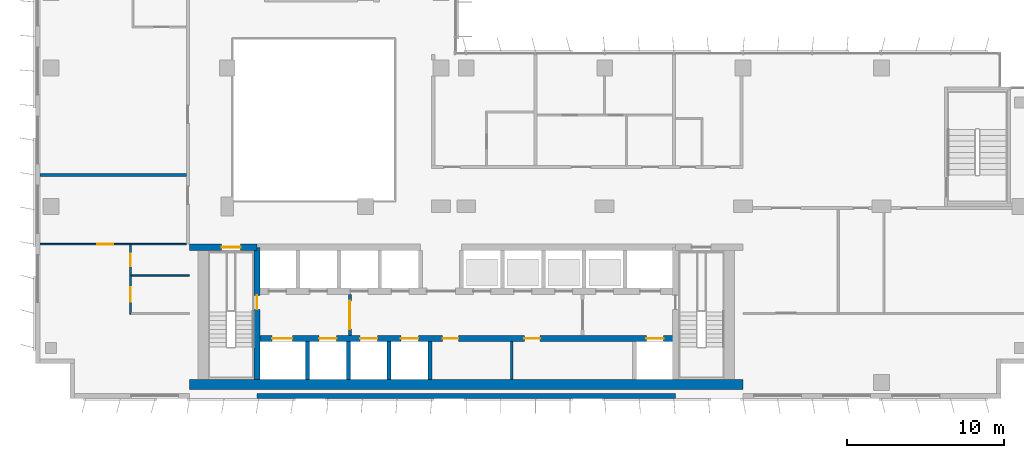
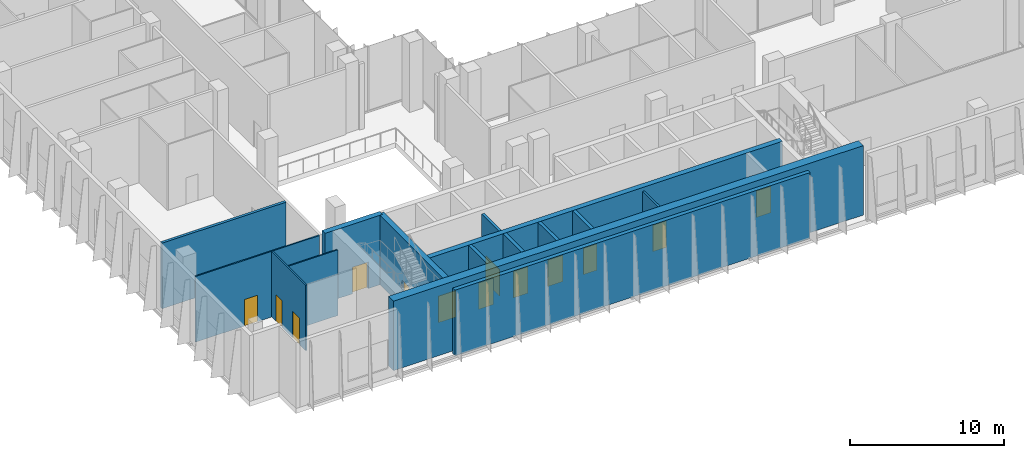
# One storey, part 13 of 24: 15 walls, 13 doors, 13 openings.
"""IFC4 building model written with IfcOpenShell, lengths in metres."""

from ifc_helpers import new_model, si_unit, direction, frame, frame_2d, origin, place, context, subcontext, project, spatial, rectangle, extrude, material, layer, layer_set, type_object, element, fill, save


model = new_model("IFC4")

# Units and contexts
model_context = context("Model", 3, precision=1e-05, world=origin(), true_north=direction((0.0, 1.0)))
body_context = subcontext(model_context, "Body", "Model", "MODEL_VIEW")
ifc_project = project(units=[si_unit("LENGTHUNIT", "METRE"), si_unit("AREAUNIT", "SQUARE_METRE"), si_unit("VOLUMEUNIT", "CUBIC_METRE"), si_unit("PLANEANGLEUNIT", "RADIAN"), si_unit("MASSUNIT", "GRAM", prefix="KILO")], contexts=[model_context])

# Site, building, storey
site_placement = place(None, origin())
site = spatial("IfcSite", under=ifc_project, at=site_placement, CompositionType="ELEMENT")
building_placement = place(site_placement, origin())
building = spatial("IfcBuilding", under=site, at=building_placement, Name="Kemantara Hotel Tower", CompositionType="ELEMENT")
storey_placement = place(building_placement, frame((0.0, 0.0, 202.5)))
storey = spatial("IfcBuildingStorey", under=building, at=storey_placement, Name="L50", CompositionType="ELEMENT", Elevation=202.5)

# Walls
ifc_material_1 = material(Name="Bronze anodised aluminium cladding on insulated steel stud wall", Category="steel")
ifc_layer_1 = layer(ifc_material_1, 0.300048828125)
ifc_layer_set_1 = layer_set([ifc_layer_1], Name="Bronze anodised aluminium cladding on insulated steel stud wall")
wall_type_1 = type_object("IfcWallType", Name="BRONZE METAL-CLAD EXTERNAL WALL 300", PredefinedType="STANDARD", material=ifc_layer_set_1)
wall_1_placement = place(storey_placement, frame((14.10009765625, 0.14990234375, 0.0), z_axis=(0.0, 0.0, 1.0), x_axis=(1.0, 0.0, 0.0)))
element("IfcWall", 1, at=wall_1_placement, inside=storey, type_object=wall_type_1, Name="EXTERNAL WALL L50 T3S-R09-2", PredefinedType="STANDARD", context=body_context, shape_type="SweptSolid", body=[
    extrude(rectangle(XDim=26.599853515625, YDim=0.300048828125, at=frame_2d((13.2998046875, 0.0))), origin(), (0.0, 0.0, 1.0), 5.199951171875),
])
ifc_material_2 = material(Name="Concrete fc 60 MPa", Category="concrete")
ifc_layer_2 = layer(ifc_material_2, 0.25)
ifc_layer_set_2 = layer_set([ifc_layer_2], Name="Concrete fc 60 MPa")
wall_type_2 = type_object("IfcWallType", Name="CORE WALL 250 FC60", PredefinedType="SHEAR", material=ifc_layer_set_2)
for number, where, z_axis, x_axis, name in (
    (2, (17.300048828125, 1.199951171875, 0.0), (0.0, 0.0, 1.0), (0.0, 1.0, 0.0), "CORE WALL CW-DS17.3"),
    (3, (19.89990234375, 1.199951171875, 0.0), (0.0, 0.0, 1.0), (0.0, 1.0, 0.0), "CORE WALL CW-DS19.9"),
    (4, (22.5, 1.199951171875, 0.0), (0.0, 0.0, 1.0), (0.0, 1.0, 0.0), "CORE WALL CW-DS22.5"),
    (5, (25.10009765625, 1.199951171875, 0.0), (0.0, 0.0, 1.0), (0.0, 1.0, 0.0), "CORE WALL CW-DS25.1"),
):
    element("IfcWall", number, at=place(storey_placement, frame(where, z_axis=z_axis, x_axis=x_axis)), inside=storey, type_object=wall_type_2, Name=name, PredefinedType="SHEAR", context=body_context, shape_type="SweptSolid", body=[
        extrude(rectangle(XDim=2.400146484375, YDim=0.25, at=frame_2d((1.2001953125, 0.0))), origin(), (0.0, 0.0, 1.0), 5.5),
    ])

# Wall, opening, door
ifc_layer_3 = layer(ifc_material_2, 0.39990234375)
ifc_layer_set_3 = layer_set([ifc_layer_3], Name="Concrete fc 60 MPa")
wall_type_3 = type_object("IfcWallType", Name="CORE WALL 400 FC60", PredefinedType="SHEAR", material=ifc_layer_set_3)
wall_2_placement = place(storey_placement, frame((9.800048828125, 9.60009765625, 0.0), z_axis=(0.0, 0.0, 1.0), x_axis=(1.0, 0.0, 0.0)))
wall_2 = element("IfcWall", 6, at=wall_2_placement, inside=storey, type_object=wall_type_3, Name="CORE WALL CW-N1", PredefinedType="SHEAR", context=body_context, shape_type="SweptSolid", body=[
    extrude(rectangle(XDim=4.300048828125, YDim=0.39990234375, at=frame_2d((2.14990234375, 0.0))), origin(), (0.0, 0.0, 1.0), 5.5),
])
opening_1_placement = place(wall_2_placement, frame((2.050048828125, 0.0, 0.0)))
opening_1 = element("IfcOpeningElement", 7, at=opening_1_placement, cuts=wall_2, Name="Opening C31-ST1-C", PredefinedType="OPENING", context=body_context, shape_type="SweptSolid", body=[
    extrude(rectangle(XDim=1.199951171875, YDim=2.10009765625, at=frame_2d((0.60009765625, 1.050048828125))), frame((0.0, 0.2099609375, 0.0), z_axis=(0.0, -1.0, 0.0), x_axis=(1.0, 0.0, 0.0)), (0.0, 0.0, 1.0), 0.419921875),
])
ifc_material_3 = material(Name="Steel fire door", Category="steel")
door_type_1 = type_object("IfcDoorType", Name="Fire door FD90 1200 x 2100", OperationType="NOTDEFINED", PredefinedType="DOOR", material=ifc_material_3)
door_1_placement = place(opening_1_placement, frame((1.199951171875, 0.0, 0.0), z_axis=(0.0, 0.0, 1.0), x_axis=(-1.0, 0.0, 0.0)))
door_1 = element("IfcDoor", 8, at=door_1_placement, inside=storey, type_object=door_type_1, Name="Stair ST1 door to corridor", OperationType="SINGLE_SWING_LEFT", OverallHeight=2.10009765625, OverallWidth=1.199951171875, PredefinedType="DOOR", context=body_context, shape_type="SweptSolid", body=[
    extrude(rectangle(XDim=1.199951171875, YDim=2.10009765625, at=frame_2d((0.60009765625, 1.050048828125))), frame((0.0, 0.02490234375, 0.0), z_axis=(0.0, -1.0, 0.0), x_axis=(1.0, 0.0, 0.0)), (0.0, 0.0, 1.0), 0.050048828125),
])
fill(opening_1, door_1)

# Wall, openings, doors
wall_3_placement = place(storey_placement, frame((14.10009765625, 3.800048828125, 0.0), z_axis=(0.0, 0.0, 1.0), x_axis=(1.0, 0.0, 0.0)))
wall_3 = element("IfcWall", 9, at=wall_3_placement, inside=storey, type_object=wall_type_3, Name="CORE WALL CW-L1", PredefinedType="SHEAR", context=body_context, shape_type="SweptSolid", body=[
    extrude(rectangle(XDim=26.599853515625, YDim=0.39990234375, at=frame_2d((13.2998046875, 0.0))), origin(), (0.0, 0.0, 1.0), 5.5),
])
opening_2_placement = place(wall_3_placement, frame((0.949951171875, 0.0, 0.0)))
opening_2 = element("IfcOpeningElement", 10, at=opening_2_placement, cuts=wall_3, Name="Opening C31-LD-FF1", PredefinedType="OPENING", context=body_context, shape_type="SweptSolid", body=[
    extrude(rectangle(XDim=1.300048828125, YDim=2.10009765625, at=frame_2d((0.64990234375, 1.050048828125))), frame((0.0, 0.2099609375, 0.0), z_axis=(0.0, -1.0, 0.0), x_axis=(1.0, 0.0, 0.0)), (0.0, 0.0, 1.0), 0.419921875),
])
opening_3_placement = place(wall_3_placement, frame((3.949951171875, 0.0, 0.0)))
opening_3 = element("IfcOpeningElement", 11, at=opening_3_placement, cuts=wall_3, Name="Opening C31-LD-SV1", PredefinedType="OPENING", context=body_context, shape_type="SweptSolid", body=[
    extrude(rectangle(XDim=1.10009765625, YDim=2.10009765625, at=frame_2d((0.550048828125, 1.050048828125))), frame((0.0, 0.2099609375, 0.0), z_axis=(0.0, -1.0, 0.0), x_axis=(1.0, 0.0, 0.0)), (0.0, 0.0, 1.0), 0.419921875),
])
opening_4_placement = place(wall_3_placement, frame((6.550048828125, 0.0, 0.0)))
opening_4 = element("IfcOpeningElement", 12, at=opening_4_placement, cuts=wall_3, Name="Opening C31-LD-SV2", PredefinedType="OPENING", context=body_context, shape_type="SweptSolid", body=[
    extrude(rectangle(XDim=1.10009765625, YDim=2.10009765625, at=frame_2d((0.550048828125, 1.050048828125))), frame((0.0, 0.2099609375, 0.0), z_axis=(0.0, -1.0, 0.0), x_axis=(1.0, 0.0, 0.0)), (0.0, 0.0, 1.0), 0.419921875),
])
opening_5_placement = place(wall_3_placement, frame((9.14990234375, 0.0, 0.0)))
opening_5 = element("IfcOpeningElement", 13, at=opening_5_placement, cuts=wall_3, Name="Opening C31-LD-SV3", PredefinedType="OPENING", context=body_context, shape_type="SweptSolid", body=[
    extrude(rectangle(XDim=1.10009765625, YDim=2.10009765625, at=frame_2d((0.550048828125, 1.050048828125))), frame((0.0, 0.2099609375, 0.0), z_axis=(0.0, -1.0, 0.0), x_axis=(1.0, 0.0, 0.0)), (0.0, 0.0, 1.0), 0.419921875),
])
opening_6_placement = place(wall_3_placement, frame((24.75, 0.0, 0.0)))
opening_6 = element("IfcOpeningElement", 14, at=opening_6_placement, cuts=wall_3, Name="Opening C31-LD-SH2", PredefinedType="OPENING", context=body_context, shape_type="SweptSolid", body=[
    extrude(rectangle(XDim=1.10009765625, YDim=2.10009765625, at=frame_2d((0.550048828125, 1.050048828125))), frame((0.0, 0.2099609375, 0.0), z_axis=(0.0, -1.0, 0.0), x_axis=(1.0, 0.0, 0.0)), (0.0, 0.0, 1.0), 0.419921875),
])
opening_7_placement = place(wall_3_placement, frame((11.800048828125, 0.0, 0.0)))
opening_7 = element("IfcOpeningElement", 15, at=opening_7_placement, cuts=wall_3, Name="Opening C31-R-SM1", PredefinedType="OPENING", context=body_context, shape_type="SweptSolid", body=[
    extrude(rectangle(XDim=1.0, YDim=2.10009765625, at=frame_2d((0.5, 1.050048828125))), frame((0.0, 0.2099609375, 0.0), z_axis=(0.0, -1.0, 0.0), x_axis=(1.0, 0.0, 0.0)), (0.0, 0.0, 1.0), 0.419921875),
])
opening_8_placement = place(wall_3_placement, frame((17.0, 0.0, 0.0)))
opening_8 = element("IfcOpeningElement", 16, at=opening_8_placement, cuts=wall_3, Name="Opening C31-R-SM2", PredefinedType="OPENING", context=body_context, shape_type="SweptSolid", body=[
    extrude(rectangle(XDim=1.0, YDim=2.10009765625, at=frame_2d((0.5, 1.050048828125))), frame((0.0, 0.2099609375, 0.0), z_axis=(0.0, -1.0, 0.0), x_axis=(1.0, 0.0, 0.0)), (0.0, 0.0, 1.0), 0.419921875),
])
door_type_2 = type_object("IfcDoorType", Name="Fire door FD30S 1000 x 2100", OperationType="NOTDEFINED", PredefinedType="DOOR", material=ifc_material_3)
door_2_placement = place(opening_7_placement, frame((1.0, 0.0, 0.0), z_axis=(0.0, 0.0, 1.0), x_axis=(-1.0, 0.0, 0.0)))
door_2 = element("IfcDoor", 17, at=door_2_placement, inside=storey, type_object=door_type_2, Name="Housekeeping Store door", OperationType="SINGLE_SWING_RIGHT", OverallHeight=2.10009765625, OverallWidth=1.0, PredefinedType="DOOR", context=body_context, shape_type="SweptSolid", body=[
    extrude(rectangle(XDim=1.0, YDim=2.10009765625, at=frame_2d((0.5, 1.050048828125))), frame((0.0, 0.02490234375, 0.0), z_axis=(0.0, -1.0, 0.0), x_axis=(1.0, 0.0, 0.0)), (0.0, 0.0, 1.0), 0.050048828125),
])
fill(opening_7, door_2)
door_3_placement = place(opening_8_placement, frame((1.0, 0.0, 0.0), z_axis=(0.0, 0.0, 1.0), x_axis=(-1.0, 0.0, 0.0)))
door_3 = element("IfcDoor", 18, at=door_3_placement, inside=storey, type_object=door_type_2, Name="Linen Store door", OperationType="SINGLE_SWING_LEFT", OverallHeight=2.10009765625, OverallWidth=1.0, PredefinedType="DOOR", context=body_context, shape_type="SweptSolid", body=[
    extrude(rectangle(XDim=1.0, YDim=2.10009765625, at=frame_2d((0.5, 1.050048828125))), frame((0.0, 0.02490234375, 0.0), z_axis=(0.0, -1.0, 0.0), x_axis=(1.0, 0.0, 0.0)), (0.0, 0.0, 1.0), 0.050048828125),
])
fill(opening_8, door_3)
ifc_material_4 = material(Name="Stainless steel lift door", Category="steel")
door_type_3 = type_object("IfcDoorType", Name="Lift landing door 1100 x 2100 FD60", OperationType="DOUBLE_DOOR_SLIDING", PredefinedType="DOOR", material=ifc_material_4)
door_4_placement = place(opening_3_placement, origin())
door_4 = element("IfcDoor", 19, at=door_4_placement, inside=storey, type_object=door_type_3, Name="Lift SV1 landing door", OperationType="DOUBLE_DOOR_SLIDING", OverallHeight=2.10009765625, OverallWidth=1.10009765625, PredefinedType="DOOR", context=body_context, shape_type="SweptSolid", body=[
    extrude(rectangle(XDim=1.10009765625, YDim=2.10009765625, at=frame_2d((0.550048828125, 1.050048828125))), frame((0.0, 0.02490234375, 0.0), z_axis=(0.0, -1.0, 0.0), x_axis=(1.0, 0.0, 0.0)), (0.0, 0.0, 1.0), 0.050048828125),
])
fill(opening_3, door_4)
door_5_placement = place(opening_4_placement, origin())
door_5 = element("IfcDoor", 20, at=door_5_placement, inside=storey, type_object=door_type_3, Name="Lift SV2 landing door", OperationType="DOUBLE_DOOR_SLIDING", OverallHeight=2.10009765625, OverallWidth=1.10009765625, PredefinedType="DOOR", context=body_context, shape_type="SweptSolid", body=[
    extrude(rectangle(XDim=1.10009765625, YDim=2.10009765625, at=frame_2d((0.550048828125, 1.050048828125))), frame((0.0, 0.02490234375, 0.0), z_axis=(0.0, -1.0, 0.0), x_axis=(1.0, 0.0, 0.0)), (0.0, 0.0, 1.0), 0.050048828125),
])
fill(opening_4, door_5)
door_6_placement = place(opening_5_placement, origin())
door_6 = element("IfcDoor", 21, at=door_6_placement, inside=storey, type_object=door_type_3, Name="Lift SV3 landing door", OperationType="DOUBLE_DOOR_SLIDING", OverallHeight=2.10009765625, OverallWidth=1.10009765625, PredefinedType="DOOR", context=body_context, shape_type="SweptSolid", body=[
    extrude(rectangle(XDim=1.10009765625, YDim=2.10009765625, at=frame_2d((0.550048828125, 1.050048828125))), frame((0.0, 0.02490234375, 0.0), z_axis=(0.0, -1.0, 0.0), x_axis=(1.0, 0.0, 0.0)), (0.0, 0.0, 1.0), 0.050048828125),
])
fill(opening_5, door_6)
door_7_placement = place(opening_6_placement, origin())
door_7 = element("IfcDoor", 22, at=door_7_placement, inside=storey, type_object=door_type_3, Name="Lift SH2 landing door", OperationType="DOUBLE_DOOR_SLIDING", OverallHeight=2.10009765625, OverallWidth=1.10009765625, PredefinedType="DOOR", context=body_context, shape_type="SweptSolid", body=[
    extrude(rectangle(XDim=1.10009765625, YDim=2.10009765625, at=frame_2d((0.550048828125, 1.050048828125))), frame((0.0, 0.02490234375, 0.0), z_axis=(0.0, -1.0, 0.0), x_axis=(1.0, 0.0, 0.0)), (0.0, 0.0, 1.0), 0.050048828125),
])
fill(opening_6, door_7)
door_type_4 = type_object("IfcDoorType", Name="Lift landing door 1300 x 2100 FD90", OperationType="DOUBLE_DOOR_SLIDING", PredefinedType="DOOR", material=ifc_material_4)
door_8_placement = place(opening_2_placement, origin())
door_8 = element("IfcDoor", 23, at=door_8_placement, inside=storey, type_object=door_type_4, Name="Lift FF1 landing door", OperationType="DOUBLE_DOOR_SLIDING", OverallHeight=2.10009765625, OverallWidth=1.300048828125, PredefinedType="DOOR", context=body_context, shape_type="SweptSolid", body=[
    extrude(rectangle(XDim=1.300048828125, YDim=2.10009765625, at=frame_2d((0.64990234375, 1.050048828125))), frame((0.0, 0.02490234375, 0.0), z_axis=(0.0, -1.0, 0.0), x_axis=(1.0, 0.0, 0.0)), (0.0, 0.0, 1.0), 0.050048828125),
])
fill(opening_2, door_8)

# Wall, opening, door
wall_4_placement = place(storey_placement, frame((14.10009765625, 1.199951171875, 0.0), z_axis=(0.0, 0.0, 1.0), x_axis=(0.0, 1.0, 0.0)))
wall_4 = element("IfcWall", 24, at=wall_4_placement, inside=storey, type_object=wall_type_3, Name="CORE WALL CW-ST1E", PredefinedType="SHEAR", context=body_context, shape_type="SweptSolid", body=[
    extrude(rectangle(XDim=8.400146484375, YDim=0.39990234375, at=frame_2d((4.2001953125, 0.0))), origin(), (0.0, 0.0, 1.0), 5.5),
])
opening_9_placement = place(wall_4_placement, frame((4.449951171875, 0.0, 0.0)))
opening_9 = element("IfcOpeningElement", 25, at=opening_9_placement, cuts=wall_4, Name="Opening C31-ST1-F", PredefinedType="OPENING", context=body_context, shape_type="SweptSolid", body=[
    extrude(rectangle(XDim=0.89990234375, YDim=2.10009765625, at=frame_2d((0.449951171875, 1.050048828125))), frame((0.0, 0.2099609375, 0.0), z_axis=(0.0, -1.0, 0.0), x_axis=(1.0, 0.0, 0.0)), (0.0, 0.0, 1.0), 0.419921875),
])
door_type_5 = type_object("IfcDoorType", Name="Fire door FD90 900 x 2100", OperationType="NOTDEFINED", PredefinedType="DOOR", material=ifc_material_3)
door_9_placement = place(opening_9_placement, origin())
door_9 = element("IfcDoor", 26, at=door_9_placement, inside=storey, type_object=door_type_5, Name="Stair ST1 door to firefighting lobby", OperationType="SINGLE_SWING_RIGHT", OverallHeight=2.10009765625, OverallWidth=0.89990234375, PredefinedType="DOOR", context=body_context, shape_type="SweptSolid", body=[
    extrude(rectangle(XDim=0.89990234375, YDim=2.10009765625, at=frame_2d((0.449951171875, 1.050048828125))), frame((0.0, 0.02490234375, 0.0), z_axis=(0.0, -1.0, 0.0), x_axis=(1.0, 0.0, 0.0)), (0.0, 0.0, 1.0), 0.050048828125),
])
fill(opening_9, door_9)

# Walls
ifc_layer_4 = layer(ifc_material_2, 0.64990234375)
ifc_layer_set_4 = layer_set([ifc_layer_4], Name="Concrete fc 60 MPa")
wall_type_4 = type_object("IfcWallType", Name="CORE WALL 650 FC60", PredefinedType="SHEAR", material=ifc_layer_set_4)
wall_5_placement = place(storey_placement, frame((9.800048828125, 0.875, 0.0), z_axis=(0.0, 0.0, 1.0), x_axis=(1.0, 0.0, 0.0)))
element("IfcWall", 27, at=wall_5_placement, inside=storey, type_object=wall_type_4, Name="CORE WALL CW-S", PredefinedType="SHEAR", context=body_context, shape_type="SweptSolid", body=[
    extrude(rectangle(XDim=35.199951171875, YDim=0.64990234375, at=frame_2d((17.60009765625, 0.0))), origin(), (0.0, 0.0, 1.0), 5.5),
])
ifc_material_5 = material(Name="Gypsum board partition, steel studs and mineral wool, 200 mm", Category="steel")
ifc_layer_5 = layer(ifc_material_5, 0.199951171875)
ifc_layer_set_5 = layer_set([ifc_layer_5], Name="Gypsum board partition, steel studs and mineral wool, 200 mm")
wall_type_5 = type_object("IfcWallType", Name="GUEST ROOM PARTY WALL 200", PredefinedType="PARTITIONING", material=ifc_layer_set_5)
wall_6_placement = place(storey_placement, frame((0.31005859375, 14.199951171875, 0.0), z_axis=(0.0, 0.0, 1.0), x_axis=(1.0, 0.0, 0.0)))
element("IfcWall", 28, at=wall_6_placement, inside=storey, type_object=wall_type_5, Name="GUEST ROOM PARTY WALL 200 012", PredefinedType="PARTITIONING", context=body_context, shape_type="SweptSolid", body=[
    extrude(rectangle(XDim=9.2900390625, YDim=0.199951171875, at=frame_2d((4.64501953125, 0.0))), origin(), (0.0, 0.0, 1.0), 5.199951171875),
])
ifc_material_6 = material(Name="Gypsum board partition")
ifc_layer_6 = layer(ifc_material_6, 0.14990234375)
ifc_layer_set_6 = layer_set([ifc_layer_6], Name="Gypsum board partition")
wall_type_6 = type_object("IfcWallType", Name="Gypsum board partition 150 mm", PredefinedType="PARTITIONING", material=ifc_layer_set_6)
wall_7_placement = place(storey_placement, frame((30.300048828125, 1.199951171875, 0.0), z_axis=(0.0, 0.0, 1.0), x_axis=(0.0, 1.0, 0.0)))
element("IfcWall", 29, at=wall_7_placement, inside=storey, type_object=wall_type_6, Name="Core room partition", PredefinedType="PARTITIONING", context=body_context, shape_type="SweptSolid", body=[
    extrude(rectangle(XDim=2.400146484375, YDim=0.14990234375, at=frame_2d((1.2001953125, 0.0))), origin(), (0.0, 0.0, 1.0), 5.199951171875),
])

# Wall, opening, door
ifc_material_7 = material(Name="Gypsum board shaft wall")
ifc_layer_7 = layer(ifc_material_7, 0.199951171875)
ifc_layer_set_7 = layer_set([ifc_layer_7], Name="Gypsum board shaft wall")
wall_type_7 = type_object("IfcWallType", Name="Gypsum board shaft wall 200 mm", PredefinedType="PARTITIONING", material=ifc_layer_set_7)
wall_8_placement = place(storey_placement, frame((20.0, 4.0, 0.0), z_axis=(0.0, 0.0, 1.0), x_axis=(0.0, 1.0, 0.0)))
wall_8 = element("IfcWall", 30, at=wall_8_placement, inside=storey, type_object=wall_type_7, Name="Firefighting lobby partition west", PredefinedType="PARTITIONING", context=body_context, shape_type="SweptSolid", body=[
    extrude(rectangle(XDim=2.60009765625, YDim=0.199951171875, at=frame_2d((1.300048828125, 0.0))), origin(), (0.0, 0.0, 1.0), 5.199951171875),
])
opening_10_placement = place(wall_8_placement, frame((0.39990234375, 0.0, 0.0)))
opening_10 = element("IfcOpeningElement", 31, at=opening_10_placement, cuts=wall_8, Name="Opening C31-FFW", PredefinedType="OPENING", context=body_context, shape_type="SweptSolid", body=[
    extrude(rectangle(XDim=1.800048828125, YDim=2.10009765625, at=frame_2d((0.89990234375, 1.050048828125))), frame((0.0, 0.10986328125, 0.0), z_axis=(0.0, -1.0, 0.0), x_axis=(1.0, 0.0, 0.0)), (0.0, 0.0, 1.0), 0.219970703125),
])
door_type_6 = type_object("IfcDoorType", Name="Fire door pair FD60 1800 x 2100", OperationType="DOUBLE_DOOR_SINGLE_SWING", PredefinedType="DOOR", material=ifc_material_3)
door_10_placement = place(opening_10_placement, origin())
door_10 = element("IfcDoor", 32, at=door_10_placement, inside=storey, type_object=door_type_6, Name="Firefighting lobby door west", OperationType="DOUBLE_DOOR_SINGLE_SWING", OverallHeight=2.10009765625, OverallWidth=1.800048828125, PredefinedType="DOOR", context=body_context, shape_type="SweptSolid", body=[
    extrude(rectangle(XDim=1.800048828125, YDim=2.10009765625, at=frame_2d((0.89990234375, 1.050048828125))), frame((0.0, 0.02490234375, 0.0), z_axis=(0.0, -1.0, 0.0), x_axis=(1.0, 0.0, 0.0)), (0.0, 0.0, 1.0), 0.050048828125),
])
fill(opening_10, door_10)

# Wall, openings, doors
ifc_material_8 = material(Name="Gypsum board partition on steel studs, 100 mm", Category="steel")
ifc_layer_8 = layer(ifc_material_8, 0.10009765625)
ifc_layer_set_8 = layer_set([ifc_layer_8], Name="Gypsum board partition on steel studs, 100 mm")
wall_type_8 = type_object("IfcWallType", Name="ROOM PARTITION 100", PredefinedType="PARTITIONING", material=ifc_layer_set_8)
wall_9_placement = place(storey_placement, frame((6.050048828125, 9.75, 0.0), z_axis=(0.0, 0.0, 1.0), x_axis=(0.0, -1.0, 0.0)))
wall_9 = element("IfcWall", 33, at=wall_9_placement, inside=storey, type_object=wall_type_8, Name="ROOM PARTITION 100 036", PredefinedType="PARTITIONING", context=body_context, shape_type="SweptSolid", body=[
    extrude(rectangle(XDim=4.39990234375, YDim=0.10009765625, at=frame_2d((2.199951171875, 0.0))), origin(), (0.0, 0.0, 1.0), 5.199951171875),
])
opening_11_placement = place(wall_9_placement, frame((2.699951171875, 0.0, 0.0)))
opening_11 = element("IfcOpeningElement", 34, at=opening_11_placement, cuts=wall_9, Name="Opening F24-015", PredefinedType="OPENING", context=body_context, shape_type="SweptSolid", body=[
    extrude(rectangle(XDim=0.89990234375, YDim=2.10009765625, at=frame_2d((0.449951171875, 1.050048828125))), frame((0.0, 0.06005859375, 0.0), z_axis=(0.0, -1.0, 0.0), x_axis=(1.0, 0.0, 0.0)), (0.0, 0.0, 1.0), 0.1201171875),
])
opening_12_placement = place(wall_9_placement, frame((0.550048828125, 0.0, 0.0)))
opening_12 = element("IfcOpeningElement", 35, at=opening_12_placement, cuts=wall_9, Name="Opening F24-016", PredefinedType="OPENING", context=body_context, shape_type="SweptSolid", body=[
    extrude(rectangle(XDim=0.800048828125, YDim=2.10009765625, at=frame_2d((0.39990234375, 1.050048828125))), frame((0.0, 0.06005859375, 0.0), z_axis=(0.0, -1.0, 0.0), x_axis=(1.0, 0.0, 0.0)), (0.0, 0.0, 1.0), 0.1201171875),
])
ifc_material_9 = material(Name="Hardwood veneer door leaf with steel frame", Category="steel")
door_type_7 = type_object("IfcDoorType", Name="BATHROOM DOOR 900 X 2100", OperationType="NOTDEFINED", PredefinedType="DOOR", material=ifc_material_9)
door_11_placement = place(opening_11_placement, origin())
door_11 = element("IfcDoor", 36, at=door_11_placement, inside=storey, type_object=door_type_7, Name="BATHROOM DOOR F24-015", OperationType="SINGLE_SWING_LEFT", OverallHeight=2.10009765625, OverallWidth=0.89990234375, PredefinedType="DOOR", context=body_context, shape_type="SweptSolid", body=[
    extrude(rectangle(XDim=0.89990234375, YDim=2.10009765625, at=frame_2d((0.449951171875, 1.050048828125))), frame((0.0, 0.02490234375, 0.0), z_axis=(0.0, -1.0, 0.0), x_axis=(1.0, 0.0, 0.0)), (0.0, 0.0, 1.0), 0.050048828125),
])
fill(opening_11, door_11)
door_type_8 = type_object("IfcDoorType", Name="WARDROBE DOOR 800 X 2100", OperationType="NOTDEFINED", PredefinedType="DOOR", material=ifc_material_9)
door_12_placement = place(opening_12_placement, origin())
door_12 = element("IfcDoor", 37, at=door_12_placement, inside=storey, type_object=door_type_8, Name="WARDROBE DOOR F24-016", OperationType="SINGLE_SWING_LEFT", OverallHeight=2.10009765625, OverallWidth=0.800048828125, PredefinedType="DOOR", context=body_context, shape_type="SweptSolid", body=[
    extrude(rectangle(XDim=0.800048828125, YDim=2.10009765625, at=frame_2d((0.39990234375, 1.050048828125))), frame((0.0, 0.02490234375, 0.0), z_axis=(0.0, -1.0, 0.0), x_axis=(1.0, 0.0, 0.0)), (0.0, 0.0, 1.0), 0.050048828125),
])
fill(opening_12, door_12)

# Wall, opening, door
wall_10_placement = place(storey_placement, frame((9.60009765625, 9.800048828125, 0.0), z_axis=(0.0, 0.0, 1.0), x_axis=(-1.0, 0.0, 0.0)))
wall_10 = element("IfcWall", 38, at=wall_10_placement, inside=storey, type_object=wall_type_8, Name="ROOM PARTITION 100 037", PredefinedType="PARTITIONING", context=body_context, shape_type="SweptSolid", body=[
    extrude(rectangle(XDim=9.2900390625, YDim=0.10009765625, at=frame_2d((4.64501953125, 0.0))), origin(), (0.0, 0.0, 1.0), 5.199951171875),
])
opening_13_placement = place(wall_10_placement, frame((4.64990234375, 0.0, 0.0)))
opening_13 = element("IfcOpeningElement", 39, at=opening_13_placement, cuts=wall_10, Name="Opening F24-014", PredefinedType="OPENING", context=body_context, shape_type="SweptSolid", body=[
    extrude(rectangle(XDim=1.0, YDim=2.10009765625, at=frame_2d((0.5, 1.050048828125))), frame((0.0, 0.06005859375, 0.0), z_axis=(0.0, -1.0, 0.0), x_axis=(1.0, 0.0, 0.0)), (0.0, 0.0, 1.0), 0.1201171875),
])
door_type_9 = type_object("IfcDoorType", Name="INTERNAL DOOR 1000 X 2100", OperationType="NOTDEFINED", PredefinedType="DOOR", material=ifc_material_9)
door_13_placement = place(opening_13_placement, origin())
door_13 = element("IfcDoor", 40, at=door_13_placement, inside=storey, type_object=door_type_9, Name="INTERNAL DOOR F24-014", OperationType="SINGLE_SWING_LEFT", OverallHeight=2.10009765625, OverallWidth=1.0, PredefinedType="DOOR", context=body_context, shape_type="SweptSolid", body=[
    extrude(rectangle(XDim=1.0, YDim=2.10009765625, at=frame_2d((0.5, 1.050048828125))), frame((0.0, 0.02490234375, 0.0), z_axis=(0.0, -1.0, 0.0), x_axis=(1.0, 0.0, 0.0)), (0.0, 0.0, 1.0), 0.050048828125),
])
fill(opening_13, door_13)

# Wall
wall_11_placement = place(storey_placement, frame((6.10009765625, 7.800048828125, 0.0), z_axis=(0.0, 0.0, 1.0), x_axis=(1.0, 0.0, 0.0)))
element("IfcWall", 41, at=wall_11_placement, inside=storey, type_object=wall_type_8, Name="ROOM PARTITION 100 038", PredefinedType="PARTITIONING", context=body_context, shape_type="SweptSolid", body=[
    extrude(rectangle(XDim=3.69970703125, YDim=0.10009765625, at=frame_2d((1.849853515625, 0.0))), origin(), (0.0, 0.0, 1.0), 5.199951171875),
])

save(model, "model.ifc")
